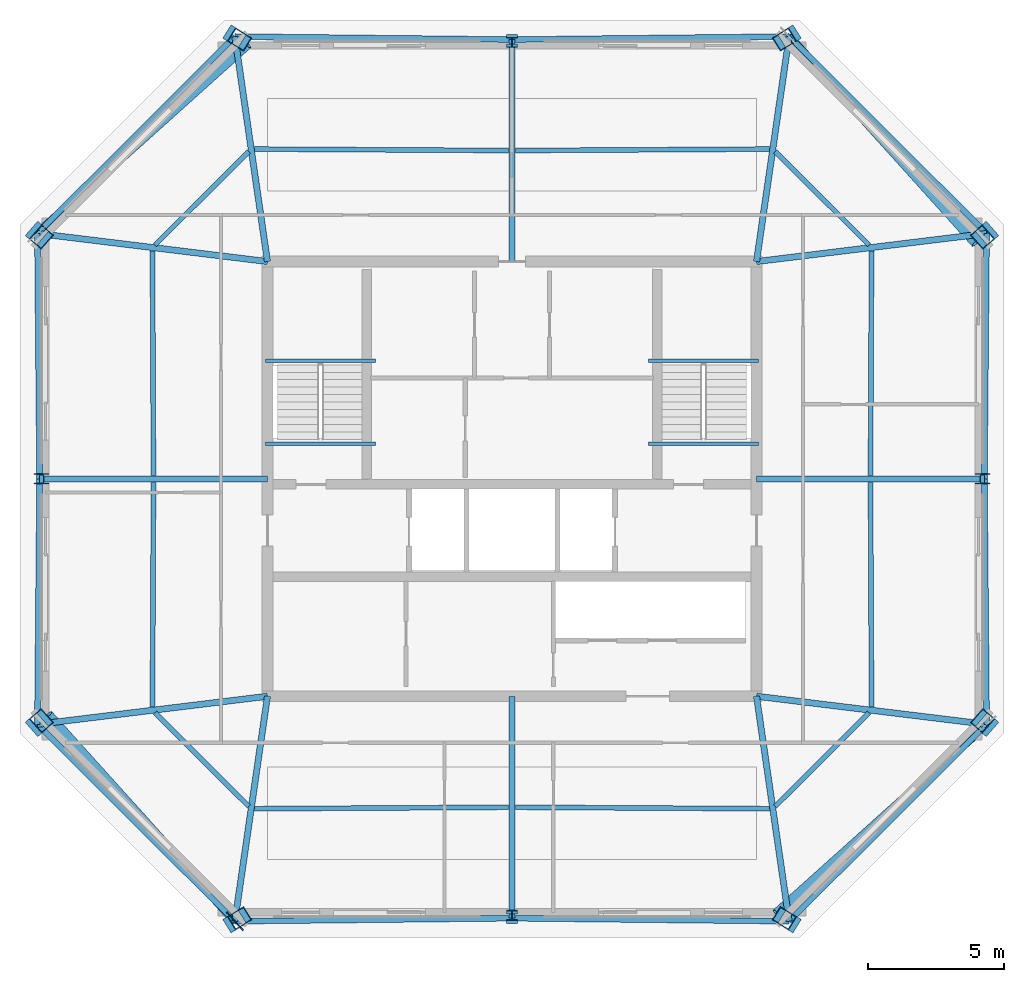
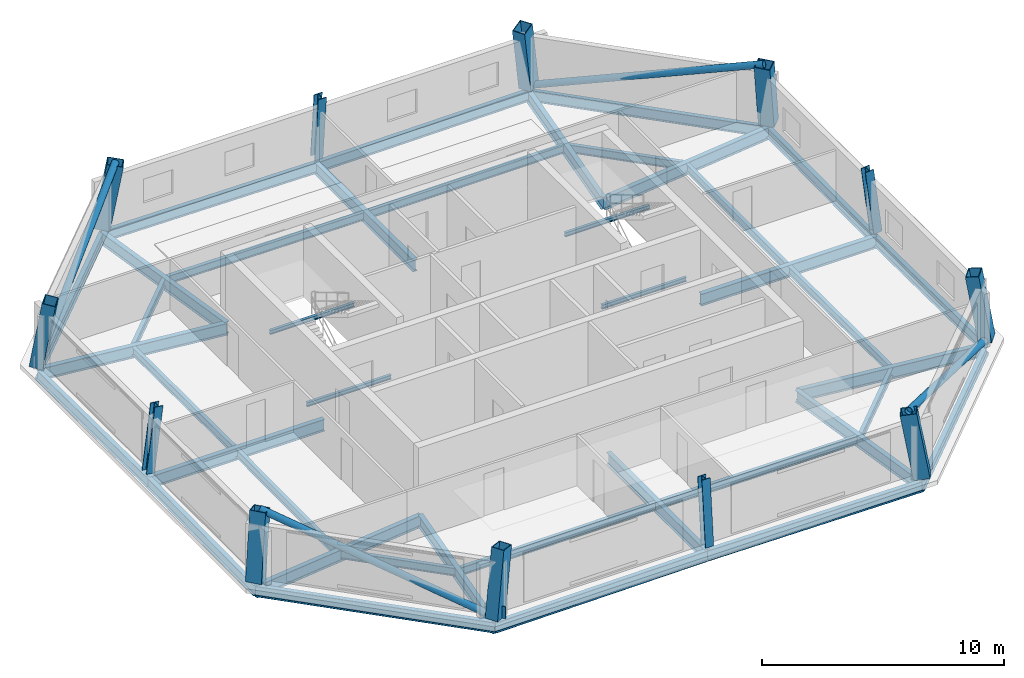
# One storey, part 1 of 5: 40 beams, 12 columns, 4 members, 1 plate.
"""IFC4 building model written with IfcOpenShell, lengths in metres."""

from ifc_helpers import new_model, si_unit, direction, frame, origin, origin_2d, place, context, subcontext, project, spatial, rectangle, hollow_rectangle, hollow_circle, i_section, extrude, material, layer, layer_set, material_profile, profile_set, type_object, element, save


model = new_model("IFC4")

# Units and contexts
model_context = context("Model", 3, precision=1e-05, world=origin(), true_north=direction((0.0, 1.0)))
body_context = subcontext(model_context, "Body", "Model", "MODEL_VIEW")
ifc_project = project(units=[si_unit("LENGTHUNIT", "METRE"), si_unit("AREAUNIT", "SQUARE_METRE"), si_unit("VOLUMEUNIT", "CUBIC_METRE"), si_unit("PLANEANGLEUNIT", "RADIAN"), si_unit("MASSUNIT", "GRAM", prefix="KILO")], contexts=[model_context])

# Site, building, storey
site_placement = place(None, origin())
site = spatial("IfcSite", under=ifc_project, at=site_placement, CompositionType="ELEMENT")
building_placement = place(site_placement, origin())
building = spatial("IfcBuilding", under=site, at=building_placement, Name="Caelvoria Tower", CompositionType="ELEMENT")
storey_placement = place(building_placement, frame((0.0, 0.0, 275.39990234375)))
storey = spatial("IfcBuildingStorey", under=building, at=storey_placement, Name="L73", CompositionType="ELEMENT", Elevation=275.39990234375)

# Columns
ifc_material_1 = material(Name="Structural Steel ASTM A572 Gr.50", Category="steel")
ifc_material_profile_1 = material_profile(ifc_material_1, hollow_rectangle(XDim=0.580078125, YDim=0.699951171875, WallThickness=0.031982421875, at=origin_2d()), Name="Structural Steel ASTM A572 Gr.50")
ifc_profile_set_1 = profile_set([ifc_material_profile_1], Name="BOX700X580X32 - Structural Steel ASTM A572 Gr.50")
column_type_1 = type_object("IfcColumnType", Name="Mega Box Column 700x580x32", PredefinedType="COLUMN", material=ifc_profile_set_1)
for number, where, z_axis, x_axis, name in (
    (1, (35.80029296875, 15.71923828125, 0.0), (0.143355432569, 0.089514056813, 0.985614759217), (-0.529645364944, 0.848219185938, 0.0), "Perimeter Megaframe Column L73-P00"),
    (2, (56.19970703125, 15.71923828125, 0.0), (-0.143355432569, 0.089514056813, 0.985614759217), (-0.529645364944, -0.848219185938, 0.0), "Perimeter Megaframe Column L73-P02"),
):
    element("IfcColumn", number, at=place(storey_placement, frame(where, z_axis=z_axis, x_axis=x_axis)), inside=storey, type_object=column_type_1, Name=name, PredefinedType="COLUMN", context=body_context, shape_type="SweptSolid", body=[
        extrude(hollow_rectangle(XDim=0.580078125, YDim=0.699951171875, WallThickness=0.031982421875, at=origin_2d()), origin(), (0.0, 0.0, 1.0), 3.3056640625),
    ])
for number, where, z_axis, x_axis, name in (
    (3, (63.469482421875, 22.967041015625, 0.0), (-0.124526454344, 0.108785128068, 0.986234737818), (0.742735851575, -0.648846987251, 0.165351268276), "Perimeter Megaframe Column L73-P03"),
    (4, (63.469482421875, 41.032958984375, 0.0), (-0.124526454344, -0.108785128068, 0.986234737818), (0.742735851575, 0.648846987251, 0.165351268276), "Perimeter Megaframe Column L73-P05"),
):
    element("IfcColumn", number, at=place(storey_placement, frame(where, z_axis=z_axis, x_axis=x_axis)), inside=storey, type_object=column_type_1, Name=name, PredefinedType="COLUMN", context=body_context, shape_type="SweptSolid", body=[
        extrude(hollow_rectangle(XDim=0.580078125, YDim=0.699951171875, WallThickness=0.031982421875, at=origin_2d()), origin(), (0.0, 0.0, 1.0), 3.303466796875),
    ])
for number, where, z_axis, x_axis, name in (
    (5, (56.19970703125, 48.28076171875, 0.0), (-0.143355432569, -0.089514056813, 0.985614759217), (0.529645364944, -0.848219185938, 0.0), "Perimeter Megaframe Column L73-P06"),
    (6, (35.80029296875, 48.28076171875, 0.0), (0.143355432569, -0.089514056813, 0.985614759217), (0.529645364944, 0.848219185938, 0.0), "Perimeter Megaframe Column L73-P08"),
):
    element("IfcColumn", number, at=place(storey_placement, frame(where, z_axis=z_axis, x_axis=x_axis)), inside=storey, type_object=column_type_1, Name=name, PredefinedType="COLUMN", context=body_context, shape_type="SweptSolid", body=[
        extrude(hollow_rectangle(XDim=0.580078125, YDim=0.699951171875, WallThickness=0.031982421875, at=origin_2d()), origin(), (0.0, 0.0, 1.0), 3.3056640625),
    ])
for number, where, z_axis, x_axis, name in (
    (7, (28.530517578125, 41.032958984375, 0.0), (0.124526454344, -0.108785128068, 0.986234737818), (-0.742735851575, 0.648846987251, 0.165351268276), "Perimeter Megaframe Column L73-P09"),
    (8, (28.530517578125, 22.967041015625, 0.0), (0.124526454344, 0.108785128068, 0.986234737818), (-0.742735851575, -0.648846987251, 0.165351268276), "Perimeter Megaframe Column L73-P11"),
):
    element("IfcColumn", number, at=place(storey_placement, frame(where, z_axis=z_axis, x_axis=x_axis)), inside=storey, type_object=column_type_1, Name=name, PredefinedType="COLUMN", context=body_context, shape_type="SweptSolid", body=[
        extrude(hollow_rectangle(XDim=0.580078125, YDim=0.699951171875, WallThickness=0.031982421875, at=origin_2d()), origin(), (0.0, 0.0, 1.0), 3.303466796875),
    ])
ifc_material_2 = material(Name="Structural Steel ASTM A992 Gr.50", Category="steel")
ifc_material_profile_2 = material_profile(ifc_material_2, i_section(OverallWidth=0.39501953125, OverallDepth=0.3798828125, WebThickness=0.018798828125, FlangeThickness=0.0302734375, FilletRadius=0.02490234375, at=origin_2d()), Name="Structural Steel ASTM A992 Gr.50")
ifc_profile_set_2 = profile_set([ifc_material_profile_2], Name="W360X237 - Structural Steel ASTM A992 Gr.50")
column_type_2 = type_object("IfcColumnType", Name="Summit Frame Column W360X237", PredefinedType="COLUMN", material=ifc_profile_set_2)
column_1_placement = place(storey_placement, frame((46.0, 15.8291015625, 0.0), z_axis=(0.0, 0.088967639141, 0.996034517065), x_axis=(-1.0, 0.0, 0.0)))
element("IfcColumn", 9, at=column_1_placement, inside=storey, type_object=column_type_2, Name="Perimeter Megaframe Column L73-P01", PredefinedType="COLUMN", context=body_context, shape_type="SweptSolid", body=[
    extrude(i_section(OverallWidth=0.39501953125, OverallDepth=0.3798828125, WebThickness=0.018798828125, FlangeThickness=0.0302734375, FilletRadius=0.02490234375, at=origin_2d()), origin(), (0.0, 0.0, 1.0), 3.27099609375),
])
column_2_placement = place(storey_placement, frame((63.38916015625, 32.0, 0.0), z_axis=(-0.124611214962, 0.0, 0.99220564658), x_axis=(0.99220564658, 0.0, 0.124611214962)))
element("IfcColumn", 10, at=column_2_placement, inside=storey, type_object=column_type_2, Name="Perimeter Megaframe Column L73-P04", PredefinedType="COLUMN", context=body_context, shape_type="SweptSolid", body=[
    extrude(i_section(OverallWidth=0.39501953125, OverallDepth=0.3798828125, WebThickness=0.018798828125, FlangeThickness=0.0302734375, FilletRadius=0.02490234375, at=origin_2d()), origin(), (0.0, 0.0, 1.0), 3.28369140625),
])
column_3_placement = place(storey_placement, frame((46.0, 48.1708984375, 0.0), z_axis=(0.0, -0.088967639141, 0.996034517065), x_axis=(1.0, 0.0, 0.0)))
element("IfcColumn", 11, at=column_3_placement, inside=storey, type_object=column_type_2, Name="Perimeter Megaframe Column L73-P07", PredefinedType="COLUMN", context=body_context, shape_type="SweptSolid", body=[
    extrude(i_section(OverallWidth=0.39501953125, OverallDepth=0.3798828125, WebThickness=0.018798828125, FlangeThickness=0.0302734375, FilletRadius=0.02490234375, at=origin_2d()), origin(), (0.0, 0.0, 1.0), 3.27099609375),
])
column_4_placement = place(storey_placement, frame((28.61083984375, 32.0, 0.0), z_axis=(0.124611214962, 0.0, 0.99220564658), x_axis=(-0.99220564658, 0.0, 0.124611214962)))
element("IfcColumn", 12, at=column_4_placement, inside=storey, type_object=column_type_2, Name="Perimeter Megaframe Column L73-P10", PredefinedType="COLUMN", context=body_context, shape_type="SweptSolid", body=[
    extrude(i_section(OverallWidth=0.39501953125, OverallDepth=0.3798828125, WebThickness=0.018798828125, FlangeThickness=0.0302734375, FilletRadius=0.02490234375, at=origin_2d()), origin(), (0.0, 0.0, 1.0), 3.28369140625),
])

# Beams
ifc_material_profile_3 = material_profile(ifc_material_2, i_section(OverallWidth=0.134033203125, OverallDepth=0.2099609375, WebThickness=0.00634765625, FlangeThickness=0.01025390625, FilletRadius=0.010009765625, at=origin_2d()), Name="Structural Steel ASTM A992 Gr.50")
ifc_profile_set_3 = profile_set([ifc_material_profile_3], Name="W200X31.3 - Structural Steel ASTM A992 Gr.50")
beam_type_1 = type_object("IfcBeamType", Name="Canopy Edge Trim Beam W200X31.3", PredefinedType="BEAM", material=ifc_profile_set_3)
for number, where, z_axis, x_axis, name in (
    (13, (36.929931640625, 36.35009765625, 1.4951171875), (1.0, 0.0, 0.0), (0.0, 1.0, 0.0), "ST-01 Half-Landing Support Beam L73"),
    (14, (36.929931640625, 33.300048828125, -0.304931640625), (1.0, 0.0, 0.0), (0.0, 1.0, 0.0), "ST-01 Floor-Landing Support Beam L73"),
    (15, (51.030029296875, 36.35009765625, 1.4951171875), (1.0, 0.0, 0.0), (0.0, 1.0, 0.0), "ST-02 Half-Landing Support Beam L73"),
    (16, (51.030029296875, 33.300048828125, -0.304931640625), (1.0, 0.0, 0.0), (0.0, 1.0, 0.0), "ST-02 Floor-Landing Support Beam L73"),
):
    element("IfcBeam", number, at=place(storey_placement, frame(where, z_axis=z_axis, x_axis=x_axis)), inside=storey, type_object=beam_type_1, Name=name, PredefinedType="BEAM", context=body_context, shape_type="SweptSolid", body=[
        extrude(i_section(OverallWidth=0.134033203125, OverallDepth=0.2099609375, WebThickness=0.00634765625, FlangeThickness=0.01025390625, FilletRadius=0.010009765625, at=origin_2d()), origin(), (0.0, 0.0, 1.0), 4.0400390625),
    ])
ifc_material_profile_4 = material_profile(ifc_material_2, i_section(OverallWidth=0.22802734375, OverallDepth=0.60302734375, WebThickness=0.010498046875, FlangeThickness=0.014892578125, FilletRadius=0.01806640625, at=origin_2d()), Name="Structural Steel ASTM A992 Gr.50")
ifc_profile_set_4 = profile_set([ifc_material_profile_4], Name="W610X101 - Structural Steel ASTM A992 Gr.50")
beam_type_2 = type_object("IfcBeamType", Name="Primary Floor Girder W610X101", PredefinedType="BEAM", material=ifc_profile_set_4)
beam_1_placement = place(storey_placement, frame((37.0, 24.0, -0.5263671875), z_axis=(-0.143381856354, -0.989667440744, 0.0), x_axis=(0.989667440744, -0.143381856354, 0.0)))
element("IfcBeam", 17, at=beam_1_placement, inside=storey, type_object=beam_type_2, Name="Primary Floor Girder L73-00", PredefinedType="BEAM", context=body_context, shape_type="SweptSolid", body=[
    extrude(i_section(OverallWidth=0.22802734375, OverallDepth=0.60302734375, WebThickness=0.010498046875, FlangeThickness=0.014892578125, FilletRadius=0.01806640625, at=origin_2d()), origin(), (0.0, 0.0, 1.0), 8.3671875),
])
beam_2_placement = place(storey_placement, frame((46.0, 24.0, -0.5263671875), z_axis=(0.0, -1.0, 0.0), x_axis=(1.0, 0.0, 0.0)))
element("IfcBeam", 18, at=beam_2_placement, inside=storey, type_object=beam_type_2, Name="Primary Floor Girder L73-01", PredefinedType="BEAM", context=body_context, shape_type="SweptSolid", body=[
    extrude(i_section(OverallWidth=0.22802734375, OverallDepth=0.60302734375, WebThickness=0.010498046875, FlangeThickness=0.014892578125, FilletRadius=0.01806640625, at=origin_2d()), origin(), (0.0, 0.0, 1.0), 8.1708984375),
])
beam_3_placement = place(storey_placement, frame((55.0, 24.0, -0.5263671875), z_axis=(0.143381856354, -0.989667440744, 0.0), x_axis=(0.989667440744, 0.143381856354, 0.0)))
element("IfcBeam", 19, at=beam_3_placement, inside=storey, type_object=beam_type_2, Name="Primary Floor Girder L73-02", PredefinedType="BEAM", context=body_context, shape_type="SweptSolid", body=[
    extrude(i_section(OverallWidth=0.22802734375, OverallDepth=0.60302734375, WebThickness=0.010498046875, FlangeThickness=0.014892578125, FilletRadius=0.01806640625, at=origin_2d()), origin(), (0.0, 0.0, 1.0), 8.3671875),
])
beam_4_placement = place(storey_placement, frame((55.0, 24.0, -0.5263671875), z_axis=(0.992644535689, -0.121065378066, 0.0), x_axis=(0.121065378066, 0.992644535689, 0.0)))
element("IfcBeam", 20, at=beam_4_placement, inside=storey, type_object=beam_type_2, Name="Primary Floor Girder L73-03", PredefinedType="BEAM", context=body_context, shape_type="SweptSolid", body=[
    extrude(i_section(OverallWidth=0.22802734375, OverallDepth=0.60302734375, WebThickness=0.010498046875, FlangeThickness=0.014892578125, FilletRadius=0.01806640625, at=origin_2d()), origin(), (0.0, 0.0, 1.0), 8.5322265625),
])
beam_5_placement = place(storey_placement, frame((55.0, 32.0, -0.5263671875), z_axis=(1.0, 0.0, 0.0), x_axis=(0.0, 1.0, 0.0)))
element("IfcBeam", 21, at=beam_5_placement, inside=storey, type_object=beam_type_2, Name="Primary Floor Girder L73-04", PredefinedType="BEAM", context=body_context, shape_type="SweptSolid", body=[
    extrude(i_section(OverallWidth=0.22802734375, OverallDepth=0.60302734375, WebThickness=0.010498046875, FlangeThickness=0.014892578125, FilletRadius=0.01806640625, at=origin_2d()), origin(), (0.0, 0.0, 1.0), 8.38916015625),
])
beam_6_placement = place(storey_placement, frame((55.0, 40.0, -0.5263671875), z_axis=(0.992644535689, 0.121065378066, 0.0), x_axis=(-0.121065378066, 0.992644535689, 0.0)))
element("IfcBeam", 22, at=beam_6_placement, inside=storey, type_object=beam_type_2, Name="Primary Floor Girder L73-05", PredefinedType="BEAM", context=body_context, shape_type="SweptSolid", body=[
    extrude(i_section(OverallWidth=0.22802734375, OverallDepth=0.60302734375, WebThickness=0.010498046875, FlangeThickness=0.014892578125, FilletRadius=0.01806640625, at=origin_2d()), origin(), (0.0, 0.0, 1.0), 8.5322265625),
])
beam_7_placement = place(storey_placement, frame((55.0, 40.0, -0.5263671875), z_axis=(0.143381856354, 0.989667440744, 0.0), x_axis=(-0.989667440744, 0.143381856354, 0.0)))
element("IfcBeam", 23, at=beam_7_placement, inside=storey, type_object=beam_type_2, Name="Primary Floor Girder L73-06", PredefinedType="BEAM", context=body_context, shape_type="SweptSolid", body=[
    extrude(i_section(OverallWidth=0.22802734375, OverallDepth=0.60302734375, WebThickness=0.010498046875, FlangeThickness=0.014892578125, FilletRadius=0.01806640625, at=origin_2d()), origin(), (0.0, 0.0, 1.0), 8.3671875),
])
beam_8_placement = place(storey_placement, frame((46.0, 40.0, -0.5263671875), z_axis=(0.0, 1.0, 0.0), x_axis=(-1.0, 0.0, 0.0)))
element("IfcBeam", 24, at=beam_8_placement, inside=storey, type_object=beam_type_2, Name="Primary Floor Girder L73-07", PredefinedType="BEAM", context=body_context, shape_type="SweptSolid", body=[
    extrude(i_section(OverallWidth=0.22802734375, OverallDepth=0.60302734375, WebThickness=0.010498046875, FlangeThickness=0.014892578125, FilletRadius=0.01806640625, at=origin_2d()), origin(), (0.0, 0.0, 1.0), 8.1708984375),
])
beam_9_placement = place(storey_placement, frame((37.0, 40.0, -0.5263671875), z_axis=(-0.143381856354, 0.989667440744, 0.0), x_axis=(-0.989667440744, -0.143381856354, 0.0)))
element("IfcBeam", 25, at=beam_9_placement, inside=storey, type_object=beam_type_2, Name="Primary Floor Girder L73-08", PredefinedType="BEAM", context=body_context, shape_type="SweptSolid", body=[
    extrude(i_section(OverallWidth=0.22802734375, OverallDepth=0.60302734375, WebThickness=0.010498046875, FlangeThickness=0.014892578125, FilletRadius=0.01806640625, at=origin_2d()), origin(), (0.0, 0.0, 1.0), 8.3671875),
])
beam_10_placement = place(storey_placement, frame((37.0, 40.0, -0.5263671875), z_axis=(-0.992644535689, 0.121065378066, 0.0), x_axis=(-0.121065378066, -0.992644535689, 0.0)))
element("IfcBeam", 26, at=beam_10_placement, inside=storey, type_object=beam_type_2, Name="Primary Floor Girder L73-09", PredefinedType="BEAM", context=body_context, shape_type="SweptSolid", body=[
    extrude(i_section(OverallWidth=0.22802734375, OverallDepth=0.60302734375, WebThickness=0.010498046875, FlangeThickness=0.014892578125, FilletRadius=0.01806640625, at=origin_2d()), origin(), (0.0, 0.0, 1.0), 8.5322265625),
])
beam_11_placement = place(storey_placement, frame((37.0, 32.0, -0.5263671875), z_axis=(-1.0, 0.0, 0.0), x_axis=(0.0, -1.0, 0.0)))
element("IfcBeam", 27, at=beam_11_placement, inside=storey, type_object=beam_type_2, Name="Primary Floor Girder L73-10", PredefinedType="BEAM", context=body_context, shape_type="SweptSolid", body=[
    extrude(i_section(OverallWidth=0.22802734375, OverallDepth=0.60302734375, WebThickness=0.010498046875, FlangeThickness=0.014892578125, FilletRadius=0.01806640625, at=origin_2d()), origin(), (0.0, 0.0, 1.0), 8.38916015625),
])
beam_12_placement = place(storey_placement, frame((37.0, 24.0, -0.5263671875), z_axis=(-0.992644535689, -0.121065378066, 0.0), x_axis=(0.121065378066, -0.992644535689, 0.0)))
element("IfcBeam", 28, at=beam_12_placement, inside=storey, type_object=beam_type_2, Name="Primary Floor Girder L73-11", PredefinedType="BEAM", context=body_context, shape_type="SweptSolid", body=[
    extrude(i_section(OverallWidth=0.22802734375, OverallDepth=0.60302734375, WebThickness=0.010498046875, FlangeThickness=0.014892578125, FilletRadius=0.01806640625, at=origin_2d()), origin(), (0.0, 0.0, 1.0), 8.5322265625),
])
ifc_material_profile_5 = material_profile(ifc_material_2, i_section(OverallWidth=0.177978515625, OverallDepth=0.406982421875, WebThickness=0.0078125, FlangeThickness=0.0126953125, FilletRadius=0.013916015625, at=origin_2d()), Name="Structural Steel ASTM A992 Gr.50")
ifc_profile_set_5 = profile_set([ifc_material_profile_5], Name="W410X60 - Structural Steel ASTM A992 Gr.50")
beam_type_3 = type_object("IfcBeamType", Name="Secondary Floor Beam W410X60", PredefinedType="BEAM", material=ifc_profile_set_5)
for number, where, z_axis, x_axis, name in (
    (29, (36.525146484375, 19.8603515625, -0.428466796875), (0.999983649988, 0.00571837009, 0.0), (-0.00571837009, 0.999983649988, 0.0), "Secondary Floor Beam L73-00"),
    (30, (46.125, 19.913818359375, -0.428466796875), (0.999983649988, -0.00571837009, 0.0), (0.00571837009, 0.999983649988, 0.0), "Secondary Floor Beam L73-01"),
):
    element("IfcBeam", number, at=place(storey_placement, frame(where, z_axis=z_axis, x_axis=x_axis)), inside=storey, type_object=beam_type_3, Name=name, PredefinedType="BEAM", context=body_context, shape_type="SweptSolid", body=[
        extrude(i_section(OverallWidth=0.177978515625, OverallDepth=0.406982421875, WebThickness=0.0078125, FlangeThickness=0.0126953125, FilletRadius=0.013916015625, at=origin_2d()), origin(), (0.0, 0.0, 1.0), 9.35009765625),
    ])
beam_13_placement = place(storey_placement, frame((55.688232421875, 19.947998046875, -0.428466796875), z_axis=(0.708205934791, 0.706005916354, 0.0), x_axis=(-0.706005916354, 0.708205934791, 0.0)))
element("IfcBeam", 31, at=beam_13_placement, inside=storey, type_object=beam_type_3, Name="Secondary Floor Beam L73-02", PredefinedType="BEAM", context=body_context, shape_type="SweptSolid", body=[
    extrude(i_section(OverallWidth=0.177978515625, OverallDepth=0.406982421875, WebThickness=0.0078125, FlangeThickness=0.0126953125, FilletRadius=0.013916015625, at=origin_2d()), origin(), (0.0, 0.0, 1.0), 4.8828125),
])
for number, where, z_axis, x_axis, name in (
    (32, (59.234130859375, 23.608642578125, -0.428466796875), (-0.004725426434, 0.99998883511, 0.0), (-0.99998883511, -0.004725426434, 0.0), "Secondary Floor Beam L73-03"),
    (33, (59.195068359375, 32.125, -0.428466796875), (0.004725426434, 0.99998883511, 0.0), (-0.99998883511, 0.004725426434, 0.0), "Secondary Floor Beam L73-04"),
):
    element("IfcBeam", number, at=place(storey_placement, frame(where, z_axis=z_axis, x_axis=x_axis)), inside=storey, type_object=beam_type_3, Name=name, PredefinedType="BEAM", context=body_context, shape_type="SweptSolid", body=[
        extrude(i_section(OverallWidth=0.177978515625, OverallDepth=0.406982421875, WebThickness=0.0078125, FlangeThickness=0.0126953125, FilletRadius=0.013916015625, at=origin_2d()), origin(), (0.0, 0.0, 1.0), 8.266357421875),
    ])
beam_14_placement = place(storey_placement, frame((59.146240234375, 40.604736328125, -0.428466796875), z_axis=(-0.708205934791, 0.706005916354, 0.0), x_axis=(-0.706005916354, -0.708205934791, 0.0)))
element("IfcBeam", 34, at=beam_14_placement, inside=storey, type_object=beam_type_3, Name="Secondary Floor Beam L73-05", PredefinedType="BEAM", context=body_context, shape_type="SweptSolid", body=[
    extrude(i_section(OverallWidth=0.177978515625, OverallDepth=0.406982421875, WebThickness=0.0078125, FlangeThickness=0.0126953125, FilletRadius=0.013916015625, at=origin_2d()), origin(), (0.0, 0.0, 1.0), 4.8828125),
])
for number, where, z_axis, x_axis, name in (
    (35, (55.474853515625, 44.1396484375, -0.428466796875), (-0.999983649988, -0.00571837009, 0.0), (0.00571837009, -0.999983649988, 0.0), "Secondary Floor Beam L73-06"),
    (36, (45.875, 44.086181640625, -0.428466796875), (-0.999983649988, 0.00571837009, 0.0), (-0.00571837009, -0.999983649988, 0.0), "Secondary Floor Beam L73-07"),
):
    element("IfcBeam", number, at=place(storey_placement, frame(where, z_axis=z_axis, x_axis=x_axis)), inside=storey, type_object=beam_type_3, Name=name, PredefinedType="BEAM", context=body_context, shape_type="SweptSolid", body=[
        extrude(i_section(OverallWidth=0.177978515625, OverallDepth=0.406982421875, WebThickness=0.0078125, FlangeThickness=0.0126953125, FilletRadius=0.013916015625, at=origin_2d()), origin(), (0.0, 0.0, 1.0), 9.35009765625),
    ])
beam_15_placement = place(storey_placement, frame((36.311767578125, 44.052001953125, -0.428466796875), z_axis=(-0.708205934791, -0.706005916354, 0.0), x_axis=(0.706005916354, -0.708205934791, 0.0)))
element("IfcBeam", 37, at=beam_15_placement, inside=storey, type_object=beam_type_3, Name="Secondary Floor Beam L73-08", PredefinedType="BEAM", context=body_context, shape_type="SweptSolid", body=[
    extrude(i_section(OverallWidth=0.177978515625, OverallDepth=0.406982421875, WebThickness=0.0078125, FlangeThickness=0.0126953125, FilletRadius=0.013916015625, at=origin_2d()), origin(), (0.0, 0.0, 1.0), 4.8828125),
])
for number, where, z_axis, x_axis, name in (
    (38, (32.765869140625, 40.391357421875, -0.428466796875), (0.004725426434, -0.99998883511, 0.0), (0.99998883511, 0.004725426434, 0.0), "Secondary Floor Beam L73-09"),
    (39, (32.804931640625, 31.875, -0.428466796875), (-0.004725426434, -0.99998883511, 0.0), (0.99998883511, -0.004725426434, 0.0), "Secondary Floor Beam L73-10"),
):
    element("IfcBeam", number, at=place(storey_placement, frame(where, z_axis=z_axis, x_axis=x_axis)), inside=storey, type_object=beam_type_3, Name=name, PredefinedType="BEAM", context=body_context, shape_type="SweptSolid", body=[
        extrude(i_section(OverallWidth=0.177978515625, OverallDepth=0.406982421875, WebThickness=0.0078125, FlangeThickness=0.0126953125, FilletRadius=0.013916015625, at=origin_2d()), origin(), (0.0, 0.0, 1.0), 8.266357421875),
    ])
beam_16_placement = place(storey_placement, frame((32.853759765625, 23.395263671875, -0.428466796875), z_axis=(0.708205934791, -0.706005916354, 0.0), x_axis=(0.706005916354, 0.708205934791, 0.0)))
element("IfcBeam", 40, at=beam_16_placement, inside=storey, type_object=beam_type_3, Name="Secondary Floor Beam L73-11", PredefinedType="BEAM", context=body_context, shape_type="SweptSolid", body=[
    extrude(i_section(OverallWidth=0.177978515625, OverallDepth=0.406982421875, WebThickness=0.0078125, FlangeThickness=0.0126953125, FilletRadius=0.013916015625, at=origin_2d()), origin(), (0.0, 0.0, 1.0), 4.8828125),
])

# Members
ifc_material_profile_6 = material_profile(ifc_material_1, hollow_circle(Radius=0.162109375, WallThickness=0.0126953125, at=origin_2d()), Name="Structural Steel ASTM A572 Gr.50")
ifc_profile_set_6 = profile_set([ifc_material_profile_6], Name="CHS324X12.7 - Structural Steel ASTM A572 Gr.50")
member_type = type_object("IfcMemberType", Name="Summit Perimeter Mega Brace CHS324X12.7", PredefinedType="BRACE", material=ifc_profile_set_6)
member_1_placement = place(storey_placement, frame((63.469482421875, 22.967041015625, 0.0), z_axis=(-0.710095820515, -0.637492228046, 0.298944116632), x_axis=(0.668041344937, -0.744124157285, 0.0)))
element("IfcMember", 41, at=member_1_placement, inside=storey, type_object=member_type, Name="Perimeter Chamfer Mega Brace L73 SE", PredefinedType="BRACE", context=body_context, shape_type="SweptSolid", body=[
    extrude(hollow_circle(Radius=0.162109375, WallThickness=0.0126953125, at=origin_2d()), origin(), (0.0, 0.0, 1.0), 10.905029296875),
])
member_2_placement = place(storey_placement, frame((56.19970703125, 48.28076171875, 0.0), z_axis=(0.638068006178, -0.707730350438, 0.303293538605), x_axis=(0.742714290391, 0.669608454882, 0.0)))
element("IfcMember", 42, at=member_2_placement, inside=storey, type_object=member_type, Name="Perimeter Chamfer Mega Brace L73 NE", PredefinedType="BRACE", context=body_context, shape_type="SweptSolid", body=[
    extrude(hollow_circle(Radius=0.162109375, WallThickness=0.0126953125, at=origin_2d()), origin(), (0.0, 0.0, 1.0), 10.748779296875),
])
member_3_placement = place(storey_placement, frame((28.530517578125, 41.032958984375, 0.0), z_axis=(0.710095820515, 0.637492228046, 0.298944116632), x_axis=(-0.668041344937, 0.744124157285, 0.0)))
element("IfcMember", 43, at=member_3_placement, inside=storey, type_object=member_type, Name="Perimeter Chamfer Mega Brace L73 NW", PredefinedType="BRACE", context=body_context, shape_type="SweptSolid", body=[
    extrude(hollow_circle(Radius=0.162109375, WallThickness=0.0126953125, at=origin_2d()), origin(), (0.0, 0.0, 1.0), 10.905029296875),
])
member_4_placement = place(storey_placement, frame((35.80029296875, 15.71923828125, 0.0), z_axis=(-0.638068006178, 0.707730350438, 0.303293538605), x_axis=(-0.742714290391, -0.669608454882, 0.0)))
element("IfcMember", 44, at=member_4_placement, inside=storey, type_object=member_type, Name="Perimeter Chamfer Mega Brace L73 SW", PredefinedType="BRACE", context=body_context, shape_type="SweptSolid", body=[
    extrude(hollow_circle(Radius=0.162109375, WallThickness=0.0126953125, at=origin_2d()), origin(), (0.0, 0.0, 1.0), 10.748779296875),
])

# Beams
ifc_material_profile_7 = material_profile(ifc_material_2, i_section(OverallWidth=0.208984375, OverallDepth=0.532958984375, WebThickness=0.01025390625, FlangeThickness=0.015625, FilletRadius=0.01611328125, at=origin_2d()), Name="Structural Steel ASTM A992 Gr.50")
ifc_profile_set_7 = profile_set([ifc_material_profile_7], Name="W530X92 - Structural Steel ASTM A992 Gr.50")
beam_type_4 = type_object("IfcBeamType", Name="Upper Zone Spandrel W530X92", PredefinedType="BEAM", material=ifc_profile_set_7)
for number, where, z_axis, x_axis, name in (
    (45, (35.80029296875, 15.71923828125, -0.491455078125), (0.999941995465, 0.010770594522, 0.0), (-0.010770594522, 0.999941995465, 0.0), "Perimeter Spandrel Girder L73-00"),
    (46, (46.0, 15.8291015625, -0.491455078125), (0.999941995465, -0.010770594522, 0.0), (0.010770594522, 0.999941995465, 0.0), "Perimeter Spandrel Girder L73-01"),
):
    element("IfcBeam", number, at=place(storey_placement, frame(where, z_axis=z_axis, x_axis=x_axis)), inside=storey, type_object=beam_type_4, Name=name, PredefinedType="BEAM", context=body_context, shape_type="SweptSolid", body=[
        extrude(i_section(OverallWidth=0.208984375, OverallDepth=0.532958984375, WebThickness=0.01025390625, FlangeThickness=0.015625, FilletRadius=0.01611328125, at=origin_2d()), origin(), (0.0, 0.0, 1.0), 10.2001953125),
    ])
beam_17_placement = place(storey_placement, frame((56.19970703125, 15.71923828125, -0.491455078125), z_axis=(0.708176190872, 0.706035751702, 0.0), x_axis=(-0.706035751702, 0.708176190872, 0.0)))
element("IfcBeam", 47, at=beam_17_placement, inside=storey, type_object=beam_type_4, Name="Perimeter Spandrel Girder L73-02", PredefinedType="BEAM", context=body_context, shape_type="SweptSolid", body=[
    extrude(i_section(OverallWidth=0.208984375, OverallDepth=0.532958984375, WebThickness=0.01025390625, FlangeThickness=0.015625, FilletRadius=0.01611328125, at=origin_2d()), origin(), (0.0, 0.0, 1.0), 10.265380859375),
])
for number, where, z_axis, x_axis, name in (
    (48, (63.469482421875, 22.967041015625, -0.491455078125), (-0.00889178069, 0.999960467337, 0.0), (-0.999960467337, -0.00889178069, 0.0), "Perimeter Spandrel Girder L73-03"),
    (49, (63.38916015625, 32.0, -0.491455078125), (0.00889178069, 0.999960467337, 0.0), (-0.999960467337, 0.00889178069, 0.0), "Perimeter Spandrel Girder L73-04"),
):
    element("IfcBeam", number, at=place(storey_placement, frame(where, z_axis=z_axis, x_axis=x_axis)), inside=storey, type_object=beam_type_4, Name=name, PredefinedType="BEAM", context=body_context, shape_type="SweptSolid", body=[
        extrude(i_section(OverallWidth=0.208984375, OverallDepth=0.532958984375, WebThickness=0.01025390625, FlangeThickness=0.015625, FilletRadius=0.01611328125, at=origin_2d()), origin(), (0.0, 0.0, 1.0), 9.033203125),
    ])
beam_18_placement = place(storey_placement, frame((63.469482421875, 41.032958984375, -0.491455078125), z_axis=(-0.708176190872, 0.706035751702, 0.0), x_axis=(-0.706035751702, -0.708176190872, 0.0)))
element("IfcBeam", 50, at=beam_18_placement, inside=storey, type_object=beam_type_4, Name="Perimeter Spandrel Girder L73-05", PredefinedType="BEAM", context=body_context, shape_type="SweptSolid", body=[
    extrude(i_section(OverallWidth=0.208984375, OverallDepth=0.532958984375, WebThickness=0.01025390625, FlangeThickness=0.015625, FilletRadius=0.01611328125, at=origin_2d()), origin(), (0.0, 0.0, 1.0), 10.265380859375),
])
for number, where, z_axis, x_axis, name in (
    (51, (56.19970703125, 48.28076171875, -0.491455078125), (-0.999941995465, -0.010770594522, 0.0), (0.010770594522, -0.999941995465, 0.0), "Perimeter Spandrel Girder L73-06"),
    (52, (46.0, 48.1708984375, -0.491455078125), (-0.999941995465, 0.010770594522, 0.0), (-0.010770594522, -0.999941995465, 0.0), "Perimeter Spandrel Girder L73-07"),
):
    element("IfcBeam", number, at=place(storey_placement, frame(where, z_axis=z_axis, x_axis=x_axis)), inside=storey, type_object=beam_type_4, Name=name, PredefinedType="BEAM", context=body_context, shape_type="SweptSolid", body=[
        extrude(i_section(OverallWidth=0.208984375, OverallDepth=0.532958984375, WebThickness=0.01025390625, FlangeThickness=0.015625, FilletRadius=0.01611328125, at=origin_2d()), origin(), (0.0, 0.0, 1.0), 10.2001953125),
    ])
beam_19_placement = place(storey_placement, frame((35.80029296875, 48.28076171875, -0.491455078125), z_axis=(-0.708176190872, -0.706035751702, 0.0), x_axis=(0.706035751702, -0.708176190872, 0.0)))
element("IfcBeam", 53, at=beam_19_placement, inside=storey, type_object=beam_type_4, Name="Perimeter Spandrel Girder L73-08", PredefinedType="BEAM", context=body_context, shape_type="SweptSolid", body=[
    extrude(i_section(OverallWidth=0.208984375, OverallDepth=0.532958984375, WebThickness=0.01025390625, FlangeThickness=0.015625, FilletRadius=0.01611328125, at=origin_2d()), origin(), (0.0, 0.0, 1.0), 10.265380859375),
])
for number, where, z_axis, x_axis, name in (
    (54, (28.530517578125, 41.032958984375, -0.491455078125), (0.00889178069, -0.999960467337, 0.0), (0.999960467337, 0.00889178069, 0.0), "Perimeter Spandrel Girder L73-09"),
    (55, (28.61083984375, 32.0, -0.491455078125), (-0.00889178069, -0.999960467337, 0.0), (0.999960467337, -0.00889178069, 0.0), "Perimeter Spandrel Girder L73-10"),
):
    element("IfcBeam", number, at=place(storey_placement, frame(where, z_axis=z_axis, x_axis=x_axis)), inside=storey, type_object=beam_type_4, Name=name, PredefinedType="BEAM", context=body_context, shape_type="SweptSolid", body=[
        extrude(i_section(OverallWidth=0.208984375, OverallDepth=0.532958984375, WebThickness=0.01025390625, FlangeThickness=0.015625, FilletRadius=0.01611328125, at=origin_2d()), origin(), (0.0, 0.0, 1.0), 9.033203125),
    ])
beam_20_placement = place(storey_placement, frame((28.530517578125, 22.967041015625, -0.491455078125), z_axis=(0.708176190872, -0.706035751702, 0.0), x_axis=(0.706035751702, 0.708176190872, 0.0)))
element("IfcBeam", 56, at=beam_20_placement, inside=storey, type_object=beam_type_4, Name="Perimeter Spandrel Girder L73-11", PredefinedType="BEAM", context=body_context, shape_type="SweptSolid", body=[
    extrude(i_section(OverallWidth=0.208984375, OverallDepth=0.532958984375, WebThickness=0.01025390625, FlangeThickness=0.015625, FilletRadius=0.01611328125, at=origin_2d()), origin(), (0.0, 0.0, 1.0), 10.265380859375),
])

# Plate
ifc_layer = layer(ifc_material_1, 0.0400390625, Name="Structural Steel ASTM A572 Gr.50")
ifc_layer_set = layer_set([ifc_layer], Name="Megaframe Node Gusset Plate 900x600x40 - Structural Steel ASTM A572 Gr.50")
plate_type = type_object("IfcPlateType", Name="Megaframe Node Gusset Plate 900x600x40", PredefinedType="USERDEFINED", material=ifc_layer_set)
plate_placement = place(storey_placement, frame((35.80029296875, 15.71923828125, 0.02001953125), z_axis=(0.0, 0.0, 1.0), x_axis=(-0.669628516485, 0.742696202973, 0.0)))
element("IfcPlate", 57, at=plate_placement, inside=storey, type_object=plate_type, Name="Chamfer Mega Brace Gusset L73 SW", ObjectType="GUSSET_PLATE", PredefinedType="USERDEFINED", context=body_context, shape_type="SweptSolid", body=[
    extrude(rectangle(XDim=0.89990234375, YDim=0.0400390625, at=origin_2d()), origin(), (0.0, 0.0, 1.0), 0.60009765625),
])

save(model, "model.ifc")
